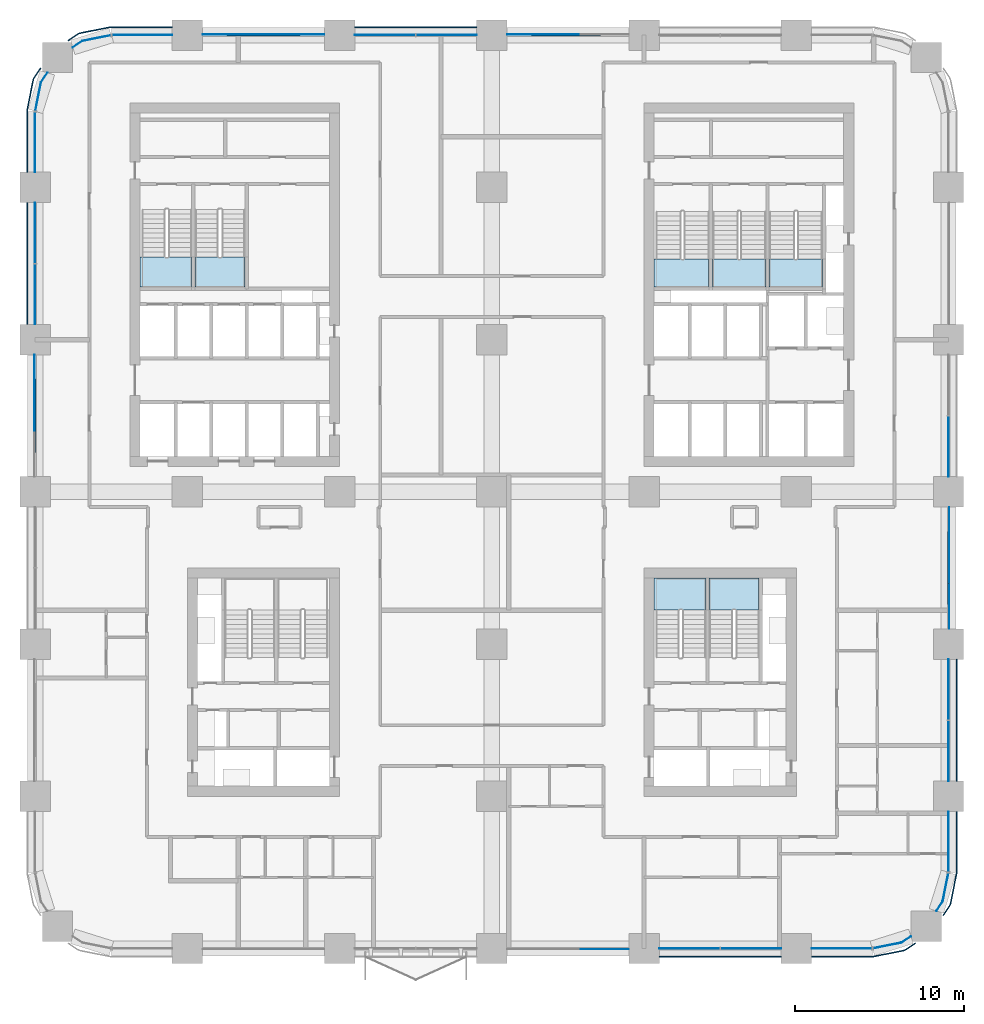
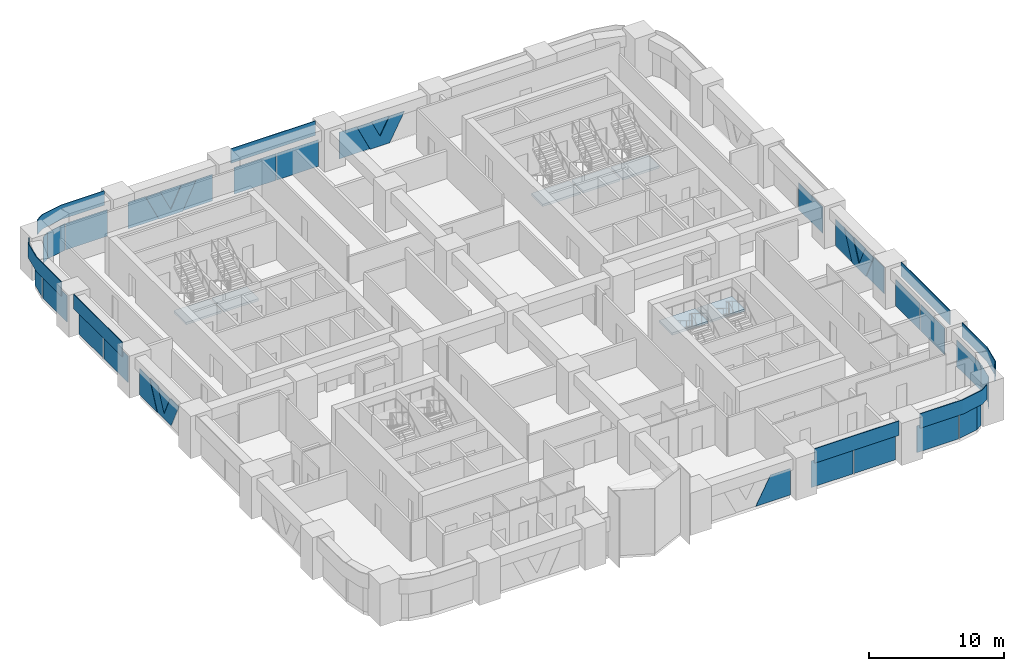
# One storey, part 12 of 24: 40 plates, 7 slabs, 21 elements without a shape of their own.
"""IFC4 building model written with IfcOpenShell, lengths in metres."""

from ifc_helpers import new_model, si_unit, direction, frame, origin, origin_2d, place, context, subcontext, project, spatial, polyline, rectangle, outline, extrude, material, layer, layer_set, type_object, element, aggregate, save


model = new_model("IFC4")

# Units and contexts
model_context = context("Model", 3, precision=1e-05, world=origin(), true_north=direction((0.0, 1.0)))
body_context = subcontext(model_context, "Body", "Model", "MODEL_VIEW")
ifc_project = project(units=[si_unit("LENGTHUNIT", "METRE"), si_unit("AREAUNIT", "SQUARE_METRE"), si_unit("VOLUMEUNIT", "CUBIC_METRE"), si_unit("PLANEANGLEUNIT", "RADIAN"), si_unit("MASSUNIT", "GRAM", prefix="KILO")], contexts=[model_context])

# Site, building, storey
site_placement = place(None, origin())
site = spatial("IfcSite", under=ifc_project, at=site_placement, CompositionType="ELEMENT")
building_placement = place(site_placement, origin())
building = spatial("IfcBuilding", under=site, at=building_placement, Name="Tessera Arch", CompositionType="ELEMENT")
storey_placement = place(building_placement, frame((0.0, 0.0, 38.60009765625)))
storey = spatial("IfcBuildingStorey", under=building, at=storey_placement, Name="L07", CompositionType="ELEMENT", Elevation=38.60009765625)

# Curtain wall, plates
ifc_material_1 = material(Name="CW1 curtain wall")
curtain_wall_type_1 = type_object("IfcCurtainWallType", Name="CW1 curtain wall", PredefinedType="NOTDEFINED", material=ifc_material_1)
curtain_wall_1_placement = place(storey_placement, origin())
curtain_wall_1 = element("IfcCurtainWall", 1, at=curtain_wall_1_placement, inside=storey, type_object=curtain_wall_type_1, Name="CW1 curtain wall S0.0/3 L07", PredefinedType="NOTDEFINED")
ifc_material_2 = material(Name="Clear low-e glass", Category="glass")
ifc_material_3 = material(Name="Clear low-e glass", Category="glass")
ifc_layer_1 = layer(ifc_material_3, 0.028076171875)
ifc_layer_set_1 = layer_set([ifc_layer_1], Name="CW1 glass panel")
plate_type_1 = type_object("IfcPlateType", Name="CW1 glass panel", PredefinedType="CURTAIN_PANEL", material=ifc_layer_set_1)
plate_1_placement = place(storey_placement, frame((38.68505859375, 0.0, 0.0), z_axis=(0.0, 0.0, 1.0), x_axis=(1.0, 0.0, 0.0)))
plate_1 = element("IfcPlate", 2, at=plate_1_placement, type_object=plate_type_1, material=ifc_material_2, Name="CW1 glass panel S0.0/3 1.1.1", PredefinedType="CURTAIN_PANEL", context=body_context, shape_type="SweptSolid", body=[
    extrude(rectangle(XDim=3.570068359375, YDim=0.028076171875, at=origin_2d()), origin(), (0.0, 0.0, 1.0), 2.39990234375),
])
plate_2_placement = place(storey_placement, frame((42.31494140625, 0.0, 0.0), z_axis=(0.0, 0.0, 1.0), x_axis=(1.0, 0.0, 0.0)))
plate_2 = element("IfcPlate", 3, at=plate_2_placement, type_object=plate_type_1, material=ifc_material_2, Name="CW1 glass panel S0.0/3 1.2.1", PredefinedType="CURTAIN_PANEL", context=body_context, shape_type="SweptSolid", body=[
    extrude(rectangle(XDim=3.570068359375, YDim=0.028076171875, at=origin_2d()), origin(), (0.0, 0.0, 1.0), 2.39990234375),
])

curtain_wall_2_placement = place(storey_placement, origin())
curtain_wall_2 = element("IfcCurtainWall", 4, at=curtain_wall_2_placement, inside=storey, type_object=curtain_wall_type_1, Name="CW1 curtain wall E54.0/1 L07", PredefinedType="NOTDEFINED")
plate_3_placement = place(storey_placement, frame((54.0, 11.68505859375, 0.0), z_axis=(0.0, 0.0, 1.0), x_axis=(0.0, 1.0, 0.0)))
plate_3 = element("IfcPlate", 5, at=plate_3_placement, type_object=plate_type_1, material=ifc_material_2, Name="CW1 glass panel E54.0/1 1.1.1", PredefinedType="CURTAIN_PANEL", context=body_context, shape_type="SweptSolid", body=[
    extrude(rectangle(XDim=3.570068359375, YDim=0.028076171875, at=origin_2d()), origin(), (0.0, 0.0, 1.0), 2.39990234375),
])
plate_4_placement = place(storey_placement, frame((54.0, 15.31494140625, 0.0), z_axis=(0.0, 0.0, 1.0), x_axis=(0.0, 1.0, 0.0)))
plate_4 = element("IfcPlate", 6, at=plate_4_placement, type_object=plate_type_1, material=ifc_material_2, Name="CW1 glass panel E54.0/1 1.2.1", PredefinedType="CURTAIN_PANEL", context=body_context, shape_type="SweptSolid", body=[
    extrude(rectangle(XDim=3.570068359375, YDim=0.028076171875, at=origin_2d()), origin(), (0.0, 0.0, 1.0), 2.39990234375),
])

# Curtain wall, plate
curtain_wall_3_placement = place(storey_placement, origin())
curtain_wall_3 = element("IfcCurtainWall", 7, at=curtain_wall_3_placement, inside=storey, type_object=curtain_wall_type_1, Name="CW1 curtain wall E54.0/3 L07", PredefinedType="NOTDEFINED")
plate_5_placement = place(storey_placement, frame((54.0, 29.68505859375, 0.0), z_axis=(0.0, 0.0, 1.0), x_axis=(0.0, 1.0, 0.0)))
plate_5 = element("IfcPlate", 8, at=plate_5_placement, type_object=plate_type_1, material=ifc_material_2, Name="CW1 glass panel E54.0/3 1.1.1", PredefinedType="CURTAIN_PANEL", context=body_context, shape_type="SweptSolid", body=[
    extrude(rectangle(XDim=3.570068359375, YDim=0.028076171875, at=origin_2d()), origin(), (0.0, 0.0, 1.0), 2.39990234375),
])
aggregate(curtain_wall_3, [plate_5])

# Curtain wall, plates
curtain_wall_4_placement = place(storey_placement, origin())
curtain_wall_4 = element("IfcCurtainWall", 9, at=curtain_wall_4_placement, inside=storey, type_object=curtain_wall_type_1, Name="CW1 curtain wall N54.0/3 L07", PredefinedType="NOTDEFINED")
plate_6_placement = place(storey_placement, frame((24.31494140625, 54.0, 0.0), z_axis=(0.0, 0.0, 1.0), x_axis=(-1.0, 0.0, 0.0)))
plate_6 = element("IfcPlate", 10, at=plate_6_placement, type_object=plate_type_1, material=ifc_material_2, Name="CW1 glass panel N54.0/3 1.1.1", PredefinedType="CURTAIN_PANEL", context=body_context, shape_type="SweptSolid", body=[
    extrude(rectangle(XDim=3.570068359375, YDim=0.028076171875, at=origin_2d()), origin(), (0.0, 0.0, 1.0), 2.39990234375),
])
plate_7_placement = place(storey_placement, frame((20.68505859375, 54.0, 0.0), z_axis=(0.0, 0.0, 1.0), x_axis=(-1.0, 0.0, 0.0)))
plate_7 = element("IfcPlate", 11, at=plate_7_placement, type_object=plate_type_1, material=ifc_material_2, Name="CW1 glass panel N54.0/3 1.2.1", PredefinedType="CURTAIN_PANEL", context=body_context, shape_type="SweptSolid", body=[
    extrude(rectangle(XDim=3.570068359375, YDim=0.028076171875, at=origin_2d()), origin(), (0.0, 0.0, 1.0), 2.39990234375),
])

curtain_wall_5_placement = place(storey_placement, origin())
curtain_wall_5 = element("IfcCurtainWall", 12, at=curtain_wall_5_placement, inside=storey, type_object=curtain_wall_type_1, Name="CW1 curtain wall W0.0/1 L07", PredefinedType="NOTDEFINED")
plate_8_placement = place(storey_placement, frame((0.0, 42.31494140625, 0.0), z_axis=(0.0, 0.0, 1.0), x_axis=(0.0, -1.0, 0.0)))
plate_8 = element("IfcPlate", 13, at=plate_8_placement, type_object=plate_type_1, material=ifc_material_2, Name="CW1 glass panel W0.0/1 1.1.1", PredefinedType="CURTAIN_PANEL", context=body_context, shape_type="SweptSolid", body=[
    extrude(rectangle(XDim=3.570068359375, YDim=0.028076171875, at=origin_2d()), origin(), (0.0, 0.0, 1.0), 2.39990234375),
])
plate_9_placement = place(storey_placement, frame((0.0, 38.68505859375, 0.0), z_axis=(0.0, 0.0, 1.0), x_axis=(0.0, -1.0, 0.0)))
plate_9 = element("IfcPlate", 14, at=plate_9_placement, type_object=plate_type_1, material=ifc_material_2, Name="CW1 glass panel W0.0/1 1.2.1", PredefinedType="CURTAIN_PANEL", context=body_context, shape_type="SweptSolid", body=[
    extrude(rectangle(XDim=3.570068359375, YDim=0.028076171875, at=origin_2d()), origin(), (0.0, 0.0, 1.0), 2.39990234375),
])

# Plate
ifc_material_4 = material(Name="Pale anodised aluminium panel", Category="aluminium")
ifc_layer_2 = layer(ifc_material_4, 0.06005859375)
ifc_layer_set_2 = layer_set([ifc_layer_2], Name="CW1 spandrel panel")
plate_type_2 = type_object("IfcPlateType", Name="CW1 spandrel panel", PredefinedType="CURTAIN_PANEL", material=ifc_layer_set_2)
plate_10_placement = place(storey_placement, frame((40.5, -0.47998046875, 2.5), z_axis=(0.0, 0.0, 1.0), x_axis=(1.0, 0.0, 0.0)))
plate_10 = element("IfcPlate", 15, at=plate_10_placement, type_object=plate_type_2, Name="CW1 spandrel panel S0.0/3", PredefinedType="CURTAIN_PANEL", context=body_context, shape_type="SweptSolid", body=[
    extrude(rectangle(XDim=7.199951171875, YDim=0.06005859375, at=origin_2d()), origin(), (0.0, 0.0, 1.0), 1.300048828125),
])

aggregate(curtain_wall_1, [plate_1, plate_2, plate_10])

plate_11_placement = place(storey_placement, frame((54.47998046875, 13.5, 2.5), z_axis=(0.0, 0.0, 1.0), x_axis=(0.0, 1.0, 0.0)))
plate_11 = element("IfcPlate", 16, at=plate_11_placement, type_object=plate_type_2, Name="CW1 spandrel panel E54.0/1", PredefinedType="CURTAIN_PANEL", context=body_context, shape_type="SweptSolid", body=[
    extrude(rectangle(XDim=7.199951171875, YDim=0.06005859375, at=origin_2d()), origin(), (0.0, 0.0, 1.0), 1.300048828125),
])

aggregate(curtain_wall_2, [plate_3, plate_4, plate_11])

plate_12_placement = place(storey_placement, frame((22.5, 54.47998046875, 2.5), z_axis=(0.0, 0.0, 1.0), x_axis=(-1.0, 0.0, 0.0)))
plate_12 = element("IfcPlate", 17, at=plate_12_placement, type_object=plate_type_2, Name="CW1 spandrel panel N54.0/3", PredefinedType="CURTAIN_PANEL", context=body_context, shape_type="SweptSolid", body=[
    extrude(rectangle(XDim=7.199951171875, YDim=0.06005859375, at=origin_2d()), origin(), (0.0, 0.0, 1.0), 1.300048828125),
])

aggregate(curtain_wall_4, [plate_6, plate_7, plate_12])

plate_13_placement = place(storey_placement, frame((-0.47998046875, 40.5, 2.5), z_axis=(0.0, 0.0, 1.0), x_axis=(0.0, -1.0, 0.0)))
plate_13 = element("IfcPlate", 18, at=plate_13_placement, type_object=plate_type_2, Name="CW1 spandrel panel W0.0/1", PredefinedType="CURTAIN_PANEL", context=body_context, shape_type="SweptSolid", body=[
    extrude(rectangle(XDim=7.199951171875, YDim=0.06005859375, at=origin_2d()), origin(), (0.0, 0.0, 1.0), 1.300048828125),
])

aggregate(curtain_wall_5, [plate_8, plate_9, plate_13])

# Curtain wall, plates
ifc_material_5 = material(Name="CW2 curtain wall")
curtain_wall_type_2 = type_object("IfcCurtainWallType", Name="CW2 curtain wall", PredefinedType="NOTDEFINED", material=ifc_material_5)
curtain_wall_6_placement = place(storey_placement, origin())
curtain_wall_6 = element("IfcCurtainWall", 19, at=curtain_wall_6_placement, inside=storey, type_object=curtain_wall_type_2, Name="CW2 curtain wall S0.0/4 L07", PredefinedType="NOTDEFINED")
ifc_material_6 = material(Name="Clear low-e glass", Category="glass")
ifc_layer_3 = layer(ifc_material_6, 0.028076171875)
ifc_layer_set_3 = layer_set([ifc_layer_3], Name="CW2 glass panel")
plate_type_3 = type_object("IfcPlateType", Name="CW2 glass panel", PredefinedType="CURTAIN_PANEL", material=ifc_layer_set_3)
plate_14_placement = place(storey_placement, frame((47.679931640625, 0.0, 0.0), z_axis=(0.0, 0.0, 1.0), x_axis=(1.0, 0.0, 0.0)))
plate_14 = element("IfcPlate", 20, at=plate_14_placement, type_object=plate_type_3, material=ifc_material_2, Name="CW2 glass panel S0.0/4 1.1", PredefinedType="CURTAIN_PANEL", context=body_context, shape_type="SweptSolid", body=[
    extrude(rectangle(XDim=3.56005859375, YDim=0.028076171875, at=origin_2d()), origin(), (0.0, 0.0, 1.0), 2.39990234375),
])
plate_15_placement = place(storey_placement, origin())
plate_15 = element("IfcPlate", 21, at=plate_15_placement, type_object=plate_type_3, material=ifc_material_2, Name="CW2 curved glass panel S0.0/4 2.1", PredefinedType="CURTAIN_PANEL", context=body_context, shape_type="SweptSolid", body=[
    extrude(outline(polyline([(51.216552734375, 0.355712890625), (49.53662109375, 0.021484375), (49.5419921875, -0.005859375), (51.2275390625, 0.329345703125), (51.789794921875, 0.705078125), (51.774169921875, 0.728271484375), (51.216552734375, 0.355712890625)])), origin(), (0.0, 0.0, 1.0), 2.39990234375),
])

curtain_wall_7_placement = place(storey_placement, origin())
curtain_wall_7 = element("IfcCurtainWall", 22, at=curtain_wall_7_placement, inside=storey, type_object=curtain_wall_type_2, Name="CW2 curtain wall E54.0/0 L07", PredefinedType="NOTDEFINED")
plate_16_placement = place(storey_placement, frame((54.0, 6.320068359375, 0.0), z_axis=(0.0, 0.0, 1.0), x_axis=(0.0, 1.0, 0.0)))
plate_16 = element("IfcPlate", 23, at=plate_16_placement, type_object=plate_type_3, material=ifc_material_2, Name="CW2 glass panel E54.0/0 1.1", PredefinedType="CURTAIN_PANEL", context=body_context, shape_type="SweptSolid", body=[
    extrude(rectangle(XDim=3.56005859375, YDim=0.028076171875, at=origin_2d()), origin(), (0.0, 0.0, 1.0), 2.39990234375),
])
plate_17_placement = place(storey_placement, origin())
plate_17 = element("IfcPlate", 24, at=plate_17_placement, type_object=plate_type_3, material=ifc_material_2, Name="CW2 curved glass panel E54.0/0 2.1", PredefinedType="CURTAIN_PANEL", context=body_context, shape_type="SweptSolid", body=[
    extrude(outline(polyline([(53.644287109375, 2.783447265625), (53.271728515625, 2.225830078125), (53.294921875, 2.210205078125), (53.670654296875, 2.7724609375), (54.005859375, 4.4580078125), (53.978515625, 4.46337890625), (53.644287109375, 2.783447265625)])), origin(), (0.0, 0.0, 1.0), 2.39990234375),
])

curtain_wall_8_placement = place(storey_placement, origin())
curtain_wall_8 = element("IfcCurtainWall", 25, at=curtain_wall_8_placement, inside=storey, type_object=curtain_wall_type_2, Name="CW2 curtain wall N54.0/5 L07", PredefinedType="NOTDEFINED")
plate_18_placement = place(storey_placement, frame((6.320068359375, 54.0, 0.0), z_axis=(0.0, 0.0, 1.0), x_axis=(-1.0, 0.0, 0.0)))
plate_18 = element("IfcPlate", 26, at=plate_18_placement, type_object=plate_type_3, material=ifc_material_2, Name="CW2 glass panel N54.0/5 1.1", PredefinedType="CURTAIN_PANEL", context=body_context, shape_type="SweptSolid", body=[
    extrude(rectangle(XDim=3.56005859375, YDim=0.028076171875, at=origin_2d()), origin(), (0.0, 0.0, 1.0), 2.39990234375),
])
plate_19_placement = place(storey_placement, origin())
plate_19 = element("IfcPlate", 27, at=plate_19_placement, type_object=plate_type_3, material=ifc_material_2, Name="CW2 curved glass panel N54.0/5 2.1", PredefinedType="CURTAIN_PANEL", context=body_context, shape_type="SweptSolid", body=[
    extrude(outline(polyline([(2.783447265625, 53.644287109375), (4.46337890625, 53.978515625), (4.4580078125, 54.005859375), (2.7724609375, 53.670654296875), (2.210205078125, 53.294921875), (2.225830078125, 53.271728515625), (2.783447265625, 53.644287109375)])), origin(), (0.0, 0.0, 1.0), 2.39990234375),
])

curtain_wall_9_placement = place(storey_placement, origin())
curtain_wall_9 = element("IfcCurtainWall", 28, at=curtain_wall_9_placement, inside=storey, type_object=curtain_wall_type_2, Name="CW2 curtain wall W0.0/0 L07", PredefinedType="NOTDEFINED")
plate_20_placement = place(storey_placement, frame((0.0, 47.679931640625, 0.0), z_axis=(0.0, 0.0, 1.0), x_axis=(0.0, -1.0, 0.0)))
plate_20 = element("IfcPlate", 29, at=plate_20_placement, type_object=plate_type_3, material=ifc_material_2, Name="CW2 glass panel W0.0/0 1.1", PredefinedType="CURTAIN_PANEL", context=body_context, shape_type="SweptSolid", body=[
    extrude(rectangle(XDim=3.56005859375, YDim=0.028076171875, at=origin_2d()), origin(), (0.0, 0.0, 1.0), 2.39990234375),
])
plate_21_placement = place(storey_placement, origin())
plate_21 = element("IfcPlate", 30, at=plate_21_placement, type_object=plate_type_3, material=ifc_material_2, Name="CW2 curved glass panel W0.0/0 2.1", PredefinedType="CURTAIN_PANEL", context=body_context, shape_type="SweptSolid", body=[
    extrude(outline(polyline([(0.355712890625, 51.216552734375), (0.728271484375, 51.774169921875), (0.705078125, 51.789794921875), (0.329345703125, 51.2275390625), (-0.005859375, 49.5419921875), (0.021484375, 49.53662109375), (0.355712890625, 51.216552734375)])), origin(), (0.0, 0.0, 1.0), 2.39990234375),
])

# Plate
ifc_material_7 = material(Name="Pale anodised aluminium panel", Category="aluminium")
ifc_layer_4 = layer(ifc_material_7, 0.06005859375)
ifc_layer_set_4 = layer_set([ifc_layer_4], Name="CW2 spandrel panel")
plate_type_4 = type_object("IfcPlateType", Name="CW2 spandrel panel", PredefinedType="CURTAIN_PANEL", material=ifc_layer_set_4)
plate_22_placement = place(storey_placement, frame((0.0, 0.0, 2.5)))
plate_22 = element("IfcPlate", 31, at=plate_22_placement, type_object=plate_type_4, Name="CW2 spandrel panel S0.0/4", PredefinedType="CURTAIN_PANEL", context=body_context, shape_type="SweptSolid", body=[
    extrude(outline(polyline([(49.499267578125, -0.449951171875), (45.89990234375, -0.449951171875), (45.89990234375, -0.510009765625), (49.500732421875, -0.510009765625), (49.550048828125, -0.507568359375), (49.598876953125, -0.500244140625), (51.322265625, -0.157470703125), (51.3701171875, -0.1455078125), (51.417236328125, -0.128662109375), (51.462646484375, -0.107177734375), (51.5048828125, -0.08203125), (52.0654296875, 0.292724609375), (52.031982421875, 0.342529296875), (51.47265625, -0.03125), (51.434326171875, -0.05419921875), (51.394287109375, -0.0732421875), (51.352783203125, -0.088134765625), (51.30908203125, -0.09912109375), (49.588623046875, -0.441162109375), (49.544189453125, -0.44775390625), (49.499267578125, -0.449951171875)])), origin(), (0.0, 0.0, 1.0), 1.2998046875),
])

aggregate(curtain_wall_6, [plate_14, plate_15, plate_22])

plate_23_placement = place(storey_placement, frame((0.0, 0.0, 2.5)))
plate_23 = element("IfcPlate", 32, at=plate_23_placement, type_object=plate_type_4, Name="CW2 spandrel panel E54.0/0", PredefinedType="CURTAIN_PANEL", context=body_context, shape_type="SweptSolid", body=[
    extrude(outline(polyline([(54.03125, 2.52734375), (53.657470703125, 1.968017578125), (53.707275390625, 1.9345703125), (54.08203125, 2.4951171875), (54.107177734375, 2.537353515625), (54.128662109375, 2.582763671875), (54.1455078125, 2.6298828125), (54.157470703125, 2.677734375), (54.500244140625, 4.401123046875), (54.507568359375, 4.449951171875), (54.510009765625, 4.499267578125), (54.510009765625, 8.10009765625), (54.449951171875, 8.10009765625), (54.449951171875, 4.500732421875), (54.44775390625, 4.455810546875), (54.441162109375, 4.411376953125), (54.09912109375, 2.69091796875), (54.088134765625, 2.647216796875), (54.0732421875, 2.605712890625), (54.05419921875, 2.565673828125), (54.03125, 2.52734375)])), origin(), (0.0, 0.0, 1.0), 1.2998046875),
])

aggregate(curtain_wall_7, [plate_16, plate_17, plate_23])

plate_24_placement = place(storey_placement, frame((0.0, 0.0, 2.5)))
plate_24 = element("IfcPlate", 33, at=plate_24_placement, type_object=plate_type_4, Name="CW2 spandrel panel N54.0/5", PredefinedType="CURTAIN_PANEL", context=body_context, shape_type="SweptSolid", body=[
    extrude(outline(polyline([(4.500732421875, 54.449951171875), (8.10009765625, 54.449951171875), (8.10009765625, 54.510009765625), (4.499267578125, 54.510009765625), (4.449951171875, 54.507568359375), (4.401123046875, 54.500244140625), (2.677734375, 54.157470703125), (2.6298828125, 54.1455078125), (2.582763671875, 54.128662109375), (2.537353515625, 54.107177734375), (2.4951171875, 54.08203125), (1.9345703125, 53.707275390625), (1.968017578125, 53.657470703125), (2.52734375, 54.03125), (2.565673828125, 54.05419921875), (2.605712890625, 54.0732421875), (2.647216796875, 54.088134765625), (2.69091796875, 54.09912109375), (4.411376953125, 54.441162109375), (4.455810546875, 54.44775390625), (4.500732421875, 54.449951171875)])), origin(), (0.0, 0.0, 1.0), 1.2998046875),
])

aggregate(curtain_wall_8, [plate_18, plate_19, plate_24])

plate_25_placement = place(storey_placement, frame((0.0, 0.0, 2.5)))
plate_25 = element("IfcPlate", 34, at=plate_25_placement, type_object=plate_type_4, Name="CW2 spandrel panel W0.0/0", PredefinedType="CURTAIN_PANEL", context=body_context, shape_type="SweptSolid", body=[
    extrude(outline(polyline([(-0.03125, 51.47265625), (0.342529296875, 52.031982421875), (0.292724609375, 52.0654296875), (-0.08203125, 51.5048828125), (-0.107177734375, 51.462646484375), (-0.128662109375, 51.417236328125), (-0.1455078125, 51.3701171875), (-0.157470703125, 51.322265625), (-0.500244140625, 49.598876953125), (-0.507568359375, 49.550048828125), (-0.510009765625, 49.500732421875), (-0.510009765625, 45.89990234375), (-0.449951171875, 45.89990234375), (-0.449951171875, 49.499267578125), (-0.44775390625, 49.544189453125), (-0.441162109375, 49.588623046875), (-0.09912109375, 51.30908203125), (-0.088134765625, 51.352783203125), (-0.0732421875, 51.394287109375), (-0.05419921875, 51.434326171875), (-0.03125, 51.47265625)])), origin(), (0.0, 0.0, 1.0), 1.2998046875),
])

aggregate(curtain_wall_9, [plate_20, plate_21, plate_25])

# Curtain wall, plate
ifc_material_8 = material(Name="CW3 curtain wall")
curtain_wall_type_3 = type_object("IfcCurtainWallType", Name="CW3 curtain wall", PredefinedType="NOTDEFINED", material=ifc_material_8)
curtain_wall_10_placement = place(storey_placement, origin())
curtain_wall_10 = element("IfcCurtainWall", 35, at=curtain_wall_10_placement, inside=storey, type_object=curtain_wall_type_3, Name="CW3 curtain wall E54.0/2 L07", PredefinedType="NOTDEFINED")
ifc_material_9 = material(Name="Pale anodised aluminium panel", Category="aluminium")
ifc_layer_5 = layer(ifc_material_9, 0.06005859375)
ifc_layer_set_5 = layer_set([ifc_layer_5], Name="CW3 diagonal panel")
plate_type_5 = type_object("IfcPlateType", Name="CW3 diagonal panel", PredefinedType="CURTAIN_PANEL", material=ifc_layer_set_5)
plate_26_placement = place(storey_placement, frame((54.030029296875, 24.644287109375, 2.39990234375), z_axis=(1.0, 0.0, 0.0), x_axis=(0.0, -1.0, 0.0)))
plate_26 = element("IfcPlate", 36, at=plate_26_placement, type_object=plate_type_5, Name="CW3 diagonal panel E54.0/2 1", PredefinedType="CURTAIN_PANEL", context=body_context, shape_type="SweptSolid", body=[
    extrude(outline(polyline([(0.0, 0.0), (1.257080078125, 0.0), (2.144287109375, 1.873046875), (3.031494140625, 0.0), (4.28857421875, 0.0), (3.15185546875, 2.39990234375), (1.13671875, 2.39990234375), (0.0, 0.0)])), origin(), (0.0, 0.0, -1.0), 0.06005859375),
])

curtain_wall_11_placement = place(storey_placement, origin())
curtain_wall_11 = element("IfcCurtainWall", 37, at=curtain_wall_11_placement, inside=storey, type_object=curtain_wall_type_3, Name="CW3 curtain wall N54.0/2 L07", PredefinedType="NOTDEFINED")
plate_27_placement = place(storey_placement, frame((29.355712890625, 54.030029296875, 2.39990234375), z_axis=(0.0, 1.0, 0.0), x_axis=(1.0, 0.0, 0.0)))
plate_27 = element("IfcPlate", 38, at=plate_27_placement, type_object=plate_type_5, Name="CW3 diagonal panel N54.0/2 1", PredefinedType="CURTAIN_PANEL", context=body_context, shape_type="SweptSolid", body=[
    extrude(outline(polyline([(0.0, 0.0), (1.257080078125, 0.0), (1.975830078125, 1.517578125), (2.777587890625, 0.0), (4.0625, 0.0), (2.794677734375, 2.39990234375), (1.13671875, 2.39990234375), (0.0, 0.0)])), origin(), (0.0, 0.0, -1.0), 0.06005859375),
])

curtain_wall_12_placement = place(storey_placement, origin())
curtain_wall_12 = element("IfcCurtainWall", 39, at=curtain_wall_12_placement, inside=storey, type_object=curtain_wall_type_3, Name="CW3 curtain wall N54.0/4 L07", PredefinedType="NOTDEFINED")
plate_28_placement = place(storey_placement, frame((11.355712890625, 54.030029296875, 2.39990234375), z_axis=(0.0, 1.0, 0.0), x_axis=(1.0, 0.0, 0.0)))
plate_28 = element("IfcPlate", 40, at=plate_28_placement, type_object=plate_type_5, Name="CW3 diagonal panel N54.0/4 1", PredefinedType="CURTAIN_PANEL", context=body_context, shape_type="SweptSolid", body=[
    extrude(outline(polyline([(0.0, 0.0), (1.257080078125, 0.0), (2.144287109375, 1.873046875), (3.031494140625, 0.0), (4.28857421875, 0.0), (3.15185546875, 2.39990234375), (1.13671875, 2.39990234375), (0.0, 0.0)])), origin(), (0.0, 0.0, -1.0), 0.06005859375),
])

curtain_wall_13_placement = place(storey_placement, origin())
curtain_wall_13 = element("IfcCurtainWall", 41, at=curtain_wall_13_placement, inside=storey, type_object=curtain_wall_type_3, Name="CW3 curtain wall W0.0/2 L07", PredefinedType="NOTDEFINED")
plate_29_placement = place(storey_placement, frame((-0.030029296875, 29.355712890625, 2.39990234375), z_axis=(-1.0, 0.0, 0.0), x_axis=(0.0, 1.0, 0.0)))
plate_29 = element("IfcPlate", 42, at=plate_29_placement, type_object=plate_type_5, Name="CW3 diagonal panel W0.0/2 1", PredefinedType="CURTAIN_PANEL", context=body_context, shape_type="SweptSolid", body=[
    extrude(outline(polyline([(0.0, 0.0), (1.257080078125, 0.0), (2.144287109375, 1.873046875), (3.031494140625, 0.0), (4.28857421875, 0.0), (3.15185546875, 2.39990234375), (1.13671875, 2.39990234375), (0.0, 0.0)])), origin(), (0.0, 0.0, -1.0), 0.06005859375),
])

curtain_wall_14_placement = place(storey_placement, origin())
curtain_wall_14 = element("IfcCurtainWall", 43, at=curtain_wall_14_placement, inside=storey, type_object=curtain_wall_type_3, Name="CW3 curtain wall S0.0/2 L07", PredefinedType="NOTDEFINED")
ifc_material_10 = material(Name="Clear low-e glass", Category="glass")
ifc_layer_6 = layer(ifc_material_10, 0.028076171875)
ifc_layer_set_6 = layer_set([ifc_layer_6], Name="CW3 glass panel")
plate_type_6 = type_object("IfcPlateType", Name="CW3 glass panel", PredefinedType="CURTAIN_PANEL", material=ifc_layer_set_6)
plate_30_placement = place(storey_placement, frame((35.10009765625, -0.05810546875, 2.39990234375), z_axis=(0.0, -1.0, 0.0), x_axis=(-1.0, 0.0, 0.0)))
plate_30 = element("IfcPlate", 44, at=plate_30_placement, type_object=plate_type_6, material=ifc_material_2, Name="CW3 triangulated glass panel S0.0/2 3", PredefinedType="CURTAIN_PANEL", context=body_context, shape_type="SweptSolid", body=[
    extrude(outline(polyline([(0.0, 0.0), (1.681884765625, 0.0), (2.94970703125, 2.39990234375), (0.0, 2.39990234375), (0.0, 0.0)])), origin(), (0.0, 0.0, -1.0), 0.028076171875),
])
aggregate(curtain_wall_14, [plate_30])

# Plate
plate_31_placement = place(storey_placement, frame((54.05810546875, 18.89990234375, 0.0), z_axis=(1.0, 0.0, 0.0), x_axis=(0.0, 1.0, 0.0)))
plate_31 = element("IfcPlate", 45, at=plate_31_placement, type_object=plate_type_6, material=ifc_material_2, Name="CW3 triangulated glass panel E54.0/2 1", PredefinedType="CURTAIN_PANEL", context=body_context, shape_type="SweptSolid", body=[
    extrude(outline(polyline([(0.0, 0.0), (2.592529296875, 0.0), (1.455810546875, 2.39990234375), (0.0, 2.39990234375), (0.0, 0.0)])), origin(), (0.0, 0.0, -1.0), 0.028076171875),
])

plate_32_placement = place(storey_placement, frame((54.05810546875, 23.38720703125, 2.39990234375), z_axis=(1.0, 0.0, 0.0), x_axis=(0.0, -1.0, 0.0)))
plate_32 = element("IfcPlate", 46, at=plate_32_placement, type_object=plate_type_6, material=ifc_material_2, Name="CW3 triangulated glass panel E54.0/2 2", PredefinedType="CURTAIN_PANEL", context=body_context, shape_type="SweptSolid", body=[
    extrude(outline(polyline([(0.0, 0.0), (1.7744140625, 0.0), (0.88720703125, 1.873046875), (0.0, 0.0)])), origin(), (0.0, 0.0, -1.0), 0.028076171875),
])

plate_33_placement = place(storey_placement, frame((54.05810546875, 26.10009765625, 2.39990234375), z_axis=(1.0, 0.0, 0.0), x_axis=(0.0, -1.0, 0.0)))
plate_33 = element("IfcPlate", 47, at=plate_33_placement, type_object=plate_type_6, material=ifc_material_2, Name="CW3 triangulated glass panel E54.0/2 3", PredefinedType="CURTAIN_PANEL", context=body_context, shape_type="SweptSolid", body=[
    extrude(outline(polyline([(0.0, 0.0), (1.455810546875, 0.0), (2.592529296875, 2.39990234375), (0.0, 2.39990234375), (0.0, 0.0)])), origin(), (0.0, 0.0, -1.0), 0.028076171875),
])

aggregate(curtain_wall_10, [plate_31, plate_32, plate_33, plate_26])

plate_34_placement = place(storey_placement, frame((30.61279296875, 54.05810546875, 2.39990234375), z_axis=(0.0, 1.0, 0.0), x_axis=(1.0, 0.0, 0.0)))
plate_34 = element("IfcPlate", 48, at=plate_34_placement, type_object=plate_type_6, material=ifc_material_2, Name="CW3 triangulated glass panel N54.0/2 2", PredefinedType="CURTAIN_PANEL", context=body_context, shape_type="SweptSolid", body=[
    extrude(outline(polyline([(0.0, 0.0), (1.5205078125, 0.0), (0.71875, 1.517578125), (0.0, 0.0)])), origin(), (0.0, 0.0, -1.0), 0.028076171875),
])

plate_35_placement = place(storey_placement, frame((27.89990234375, 54.05810546875, 2.39990234375), z_axis=(0.0, 1.0, 0.0), x_axis=(1.0, 0.0, 0.0)))
plate_35 = element("IfcPlate", 49, at=plate_35_placement, type_object=plate_type_6, material=ifc_material_2, Name="CW3 triangulated glass panel N54.0/2 3", PredefinedType="CURTAIN_PANEL", context=body_context, shape_type="SweptSolid", body=[
    extrude(outline(polyline([(0.0, 0.0), (1.455810546875, 0.0), (2.592529296875, 2.39990234375), (0.0, 2.39990234375), (0.0, 0.0)])), origin(), (0.0, 0.0, -1.0), 0.028076171875),
])

aggregate(curtain_wall_11, [plate_34, plate_35, plate_27])

plate_36_placement = place(storey_placement, frame((17.10009765625, 54.05810546875, 0.0), z_axis=(0.0, 1.0, 0.0), x_axis=(-1.0, 0.0, 0.0)))
plate_36 = element("IfcPlate", 50, at=plate_36_placement, type_object=plate_type_6, material=ifc_material_2, Name="CW3 triangulated glass panel N54.0/4 1", PredefinedType="CURTAIN_PANEL", context=body_context, shape_type="SweptSolid", body=[
    extrude(outline(polyline([(0.0, 0.0), (2.592529296875, 0.0), (1.455810546875, 2.39990234375), (0.0, 2.39990234375), (0.0, 0.0)])), origin(), (0.0, 0.0, -1.0), 0.028076171875),
])

plate_37_placement = place(storey_placement, frame((12.61279296875, 54.05810546875, 2.39990234375), z_axis=(0.0, 1.0, 0.0), x_axis=(1.0, 0.0, 0.0)))
plate_37 = element("IfcPlate", 51, at=plate_37_placement, type_object=plate_type_6, material=ifc_material_2, Name="CW3 triangulated glass panel N54.0/4 2", PredefinedType="CURTAIN_PANEL", context=body_context, shape_type="SweptSolid", body=[
    extrude(outline(polyline([(0.0, 0.0), (1.7744140625, 0.0), (0.88720703125, 1.873046875), (0.0, 0.0)])), origin(), (0.0, 0.0, -1.0), 0.028076171875),
])

plate_38_placement = place(storey_placement, frame((9.89990234375, 54.05810546875, 2.39990234375), z_axis=(0.0, 1.0, 0.0), x_axis=(1.0, 0.0, 0.0)))
plate_38 = element("IfcPlate", 52, at=plate_38_placement, type_object=plate_type_6, material=ifc_material_2, Name="CW3 triangulated glass panel N54.0/4 3", PredefinedType="CURTAIN_PANEL", context=body_context, shape_type="SweptSolid", body=[
    extrude(outline(polyline([(0.0, 0.0), (1.455810546875, 0.0), (2.592529296875, 2.39990234375), (0.0, 2.39990234375), (0.0, 0.0)])), origin(), (0.0, 0.0, -1.0), 0.028076171875),
])

aggregate(curtain_wall_12, [plate_36, plate_37, plate_38, plate_28])

plate_39_placement = place(storey_placement, frame((-0.05810546875, 35.10009765625, 0.0), z_axis=(-1.0, 0.0, 0.0), x_axis=(0.0, -1.0, 0.0)))
plate_39 = element("IfcPlate", 53, at=plate_39_placement, type_object=plate_type_6, material=ifc_material_2, Name="CW3 triangulated glass panel W0.0/2 1", PredefinedType="CURTAIN_PANEL", context=body_context, shape_type="SweptSolid", body=[
    extrude(outline(polyline([(0.0, 0.0), (2.592529296875, 0.0), (1.455810546875, 2.39990234375), (0.0, 2.39990234375), (0.0, 0.0)])), origin(), (0.0, 0.0, -1.0), 0.028076171875),
])

plate_40_placement = place(storey_placement, frame((-0.05810546875, 30.61279296875, 2.39990234375), z_axis=(-1.0, 0.0, 0.0), x_axis=(0.0, 1.0, 0.0)))
plate_40 = element("IfcPlate", 54, at=plate_40_placement, type_object=plate_type_6, material=ifc_material_2, Name="CW3 triangulated glass panel W0.0/2 2", PredefinedType="CURTAIN_PANEL", context=body_context, shape_type="SweptSolid", body=[
    extrude(outline(polyline([(0.0, 0.0), (1.7744140625, 0.0), (0.88720703125, 1.873046875), (0.0, 0.0)])), origin(), (0.0, 0.0, -1.0), 0.028076171875),
])

aggregate(curtain_wall_13, [plate_39, plate_40, plate_29])

# Stair, slab
ifc_material_11 = material(Name="Concrete C40/50", Category="concrete")
stair_type_1 = type_object("IfcStairType", Name="Dogleg stair 1520", PredefinedType="HALF_TURN_STAIR", material=ifc_material_11)
stair_1_placement = place(storey_placement, origin())
stair_1 = element("IfcStair", 55, at=stair_1_placement, inside=storey, type_object=stair_type_1, Name="L07 S1a", PredefinedType="HALF_TURN_STAIR")
ifc_material_12 = material(Name="Concrete C40/50", Category="concrete")
ifc_layer_7 = layer(ifc_material_12, 0.300048828125)
ifc_layer_set_7 = layer_set([ifc_layer_7], Name="Stair landing 300")
slab_type = type_object("IfcSlabType", Name="Stair landing 300", PredefinedType="LANDING", material=ifc_layer_set_7)
slab_1_placement = place(storey_placement, frame((0.0, 0.0, 1.699951171875)))
slab_1 = element("IfcSlab", 56, at=slab_1_placement, type_object=slab_type, Name="S1a landing 1", PredefinedType="LANDING", context=body_context, shape_type="SweptSolid", body=[
    extrude(outline(polyline([(36.60009765625, 40.780029296875), (36.60009765625, 39.10009765625), (39.85009765625, 39.10009765625), (39.85009765625, 40.780029296875), (36.60009765625, 40.780029296875)])), origin(), (0.0, 0.0, 1.0), 0.199951171875),
])
aggregate(stair_1, [slab_1])

stair_2_placement = place(storey_placement, origin())
stair_2 = element("IfcStair", 57, at=stair_2_placement, inside=storey, type_object=stair_type_1, Name="L07 S1b", PredefinedType="HALF_TURN_STAIR")
slab_2_placement = place(storey_placement, frame((0.0, 0.0, 1.699951171875)))
slab_2 = element("IfcSlab", 58, at=slab_2_placement, type_object=slab_type, Name="S1b landing 1", PredefinedType="LANDING", context=body_context, shape_type="SweptSolid", body=[
    extrude(outline(polyline([(40.050048828125, 40.780029296875), (40.050048828125, 39.10009765625), (43.199951171875, 39.10009765625), (43.199951171875, 40.780029296875), (40.050048828125, 40.780029296875)])), origin(), (0.0, 0.0, 1.0), 0.199951171875),
])
aggregate(stair_2, [slab_2])

stair_3_placement = place(storey_placement, origin())
stair_3 = element("IfcStair", 59, at=stair_3_placement, inside=storey, type_object=stair_type_1, Name="L07 S1c", PredefinedType="HALF_TURN_STAIR")
slab_3_placement = place(storey_placement, frame((0.0, 0.0, 1.699951171875)))
slab_3 = element("IfcSlab", 60, at=slab_3_placement, type_object=slab_type, Name="S1c landing 1", PredefinedType="LANDING", context=body_context, shape_type="SweptSolid", body=[
    extrude(outline(polyline([(43.39990234375, 40.780029296875), (43.39990234375, 39.10009765625), (46.550048828125, 39.10009765625), (46.550048828125, 40.780029296875), (43.39990234375, 40.780029296875)])), origin(), (0.0, 0.0, 1.0), 0.199951171875),
])
aggregate(stair_3, [slab_3])

ifc_material_13 = material(Name="Concrete C40/50", Category="concrete")
stair_type_2 = type_object("IfcStairType", Name="Dogleg stair 1400", PredefinedType="HALF_TURN_STAIR", material=ifc_material_13)
stair_4_placement = place(storey_placement, origin())
stair_4 = element("IfcStair", 61, at=stair_4_placement, inside=storey, type_object=stair_type_2, Name="L07 S2a", PredefinedType="HALF_TURN_STAIR")
slab_4_placement = place(storey_placement, frame((0.0, 0.0, 1.699951171875)))
slab_4 = element("IfcSlab", 62, at=slab_4_placement, type_object=slab_type, Name="S2a landing 1", PredefinedType="LANDING", context=body_context, shape_type="SweptSolid", body=[
    extrude(outline(polyline([(6.199951171875, 40.89990234375), (6.199951171875, 39.10009765625), (9.25, 39.10009765625), (9.25, 40.89990234375), (6.199951171875, 40.89990234375)])), origin(), (0.0, 0.0, 1.0), 0.199951171875),
])
aggregate(stair_4, [slab_4])

stair_5_placement = place(storey_placement, origin())
stair_5 = element("IfcStair", 63, at=stair_5_placement, inside=storey, type_object=stair_type_2, Name="L07 S2b", PredefinedType="HALF_TURN_STAIR")
slab_5_placement = place(storey_placement, frame((0.0, 0.0, 1.699951171875)))
slab_5 = element("IfcSlab", 64, at=slab_5_placement, type_object=slab_type, Name="S2b landing 1", PredefinedType="LANDING", context=body_context, shape_type="SweptSolid", body=[
    extrude(outline(polyline([(9.449951171875, 40.89990234375), (9.449951171875, 39.10009765625), (12.39990234375, 39.10009765625), (12.39990234375, 40.89990234375), (9.449951171875, 40.89990234375)])), origin(), (0.0, 0.0, 1.0), 0.199951171875),
])
aggregate(stair_5, [slab_5])

stair_6_placement = place(storey_placement, origin())
stair_6 = element("IfcStair", 65, at=stair_6_placement, inside=storey, type_object=stair_type_2, Name="L07 S3a", PredefinedType="HALF_TURN_STAIR")
slab_6_placement = place(storey_placement, frame((0.0, 0.0, 1.699951171875)))
slab_6 = element("IfcSlab", 66, at=slab_6_placement, type_object=slab_type, Name="S3a landing 1", PredefinedType="LANDING", context=body_context, shape_type="SweptSolid", body=[
    extrude(outline(polyline([(39.64990234375, 20.0), (39.64990234375, 21.89990234375), (36.60009765625, 21.89990234375), (36.60009765625, 20.0), (39.64990234375, 20.0)])), origin(), (0.0, 0.0, 1.0), 0.199951171875),
])
aggregate(stair_6, [slab_6])

stair_7_placement = place(storey_placement, origin())
stair_7 = element("IfcStair", 67, at=stair_7_placement, inside=storey, type_object=stair_type_2, Name="L07 S3b", PredefinedType="HALF_TURN_STAIR")
slab_7_placement = place(storey_placement, frame((0.0, 0.0, 1.699951171875)))
slab_7 = element("IfcSlab", 68, at=slab_7_placement, type_object=slab_type, Name="S3b landing 1", PredefinedType="LANDING", context=body_context, shape_type="SweptSolid", body=[
    extrude(outline(polyline([(42.800048828125, 20.0), (42.800048828125, 21.89990234375), (39.85009765625, 21.89990234375), (39.85009765625, 20.0), (42.800048828125, 20.0)])), origin(), (0.0, 0.0, 1.0), 0.199951171875),
])
aggregate(stair_7, [slab_7])

save(model, "model.ifc")
